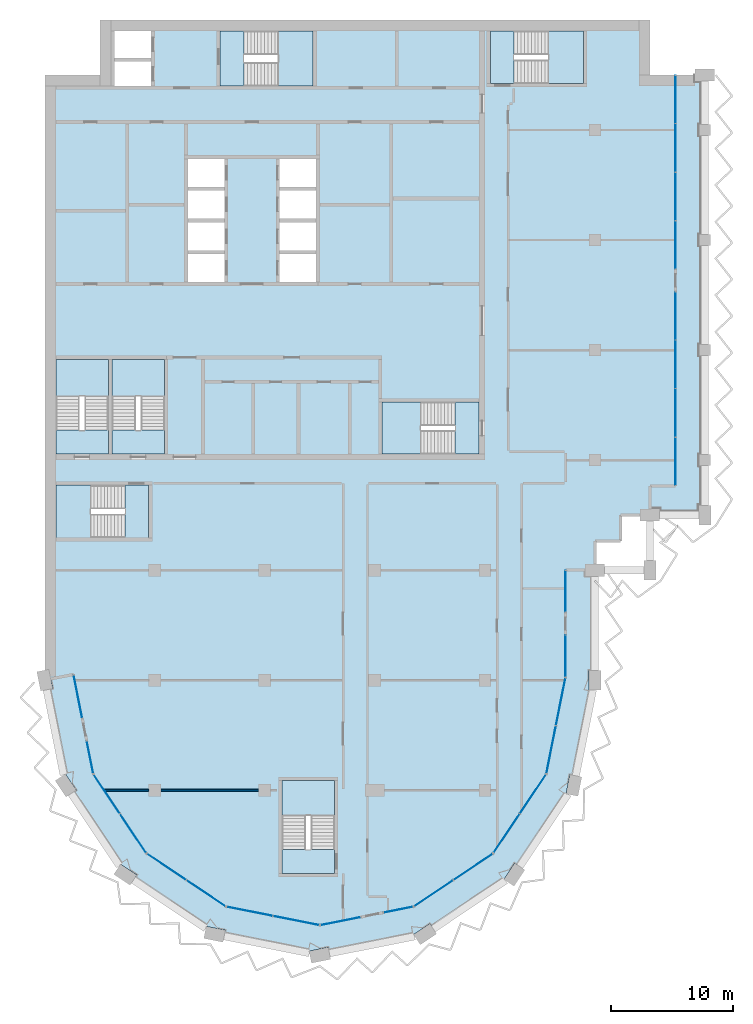
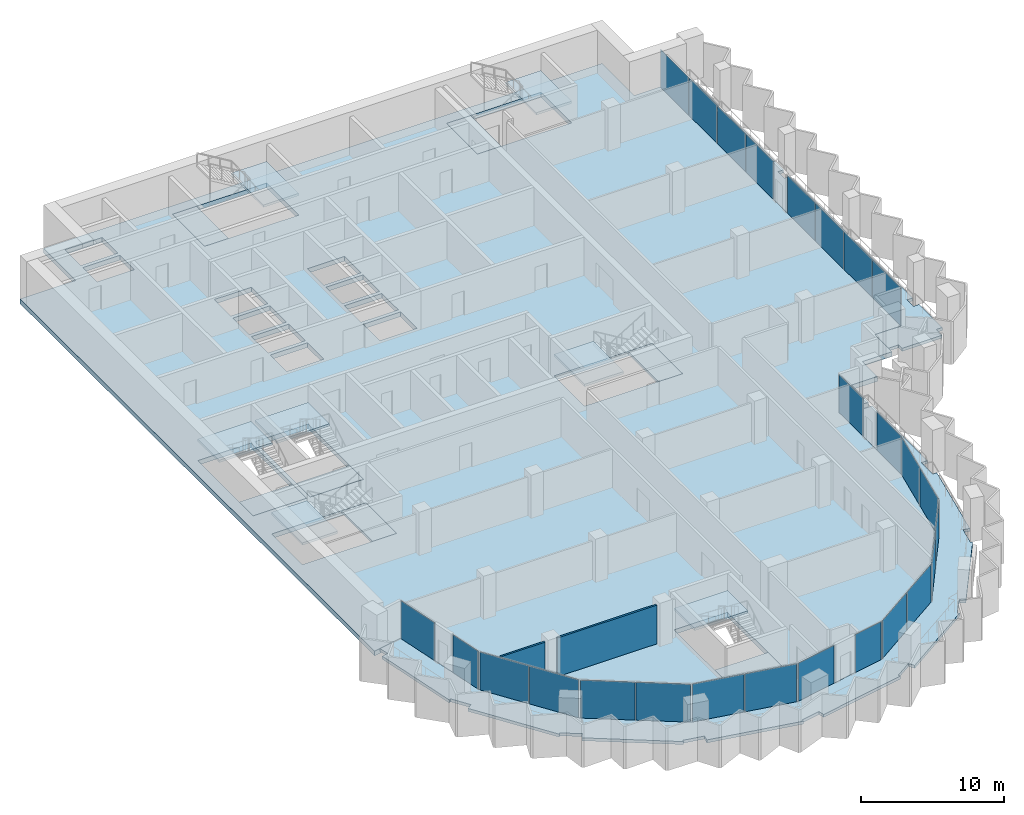
# One storey, part 6 of 16: 26 plates, 17 slabs, 2 walls, 21 elements without a shape of their own.
"""IFC4 building model written with IfcOpenShell, lengths in metres."""

from ifc_helpers import new_model, si_unit, direction, frame, frame_2d, origin, origin_2d, place, context, subcontext, project, spatial, polyline, rectangle, outline, extrude, material, layer, layer_set, type_object, element, aggregate, save


model = new_model("IFC4")

# Units and contexts
model_context = context("Model", 3, precision=1e-05, world=origin(), true_north=direction((0.0, 1.0)))
body_context = subcontext(model_context, "Body", "Model", "MODEL_VIEW")
ifc_project = project(units=[si_unit("LENGTHUNIT", "METRE"), si_unit("AREAUNIT", "SQUARE_METRE"), si_unit("VOLUMEUNIT", "CUBIC_METRE"), si_unit("PLANEANGLEUNIT", "RADIAN"), si_unit("MASSUNIT", "GRAM", prefix="KILO")], contexts=[model_context])

# Site, building, storey
site_placement = place(None, origin())
site = spatial("IfcSite", under=ifc_project, at=site_placement, CompositionType="ELEMENT")
building_placement = place(site_placement, origin())
building = spatial("IfcBuilding", under=site, at=building_placement, Name="Hunhe Ridgeline Campus", CompositionType="ELEMENT")
storey_placement = place(building_placement, frame((0.0, 0.0, 239.199951171875)))
storey = spatial("IfcBuildingStorey", under=building, at=storey_placement, Name="L61", CompositionType="ELEMENT", Elevation=239.199951171875)

# Curtain wall, plate
ifc_material_1 = material(Name="Aluminium 6063", Category="aluminium")
curtain_wall_type_1 = type_object("IfcCurtainWallType", Name="Curtain wall CW-5", PredefinedType="NOTDEFINED", material=ifc_material_1)
curtain_wall_1_placement = place(storey_placement, origin())
curtain_wall_1 = element("IfcCurtainWall", 1, at=curtain_wall_1_placement, inside=storey, type_object=curtain_wall_type_1, Name="Curtain wall 01", PredefinedType="NOTDEFINED")
ifc_material_2 = material(Name="Low-e laminated glass", Category="glass")
ifc_layer_1 = layer(ifc_material_2, 0.028076171875)
ifc_layer_set_1 = layer_set([ifc_layer_1], Name="Curtain wall glass panel 28 low-e laminated")
plate_type = type_object("IfcPlateType", Name="Curtain wall glass panel 28 low-e laminated", PredefinedType="CURTAIN_PANEL", material=ifc_layer_set_1)
plate_1_placement = place(storey_placement, frame((2.7158203125, 43.65380859375, 0.0), z_axis=(0.0, 0.0, 1.0), x_axis=(0.195095326561, -0.980784284924, 0.0)))
plate_1 = element("IfcPlate", 2, at=plate_1_placement, type_object=plate_type, Name="CW-5 panel 1", PredefinedType="CURTAIN_PANEL", context=body_context, shape_type="SweptSolid", body=[
    extrude(rectangle(XDim=3.560791015625, YDim=0.028076171875, at=origin_2d()), origin(), (0.0, 0.0, 1.0), 3.22998046875),
])
aggregate(curtain_wall_1, [plate_1])

curtain_wall_2_placement = place(storey_placement, origin())
curtain_wall_2 = element("IfcCurtainWall", 3, at=curtain_wall_2_placement, inside=storey, type_object=curtain_wall_type_1, Name="Curtain wall 02", PredefinedType="NOTDEFINED")
plate_2_placement = place(storey_placement, frame((3.701171875, 38.699951171875, 0.0), z_axis=(0.0, 0.0, 1.0), x_axis=(0.195095265587, -0.980784297053, 0.0)))
plate_2 = element("IfcPlate", 4, at=plate_2_placement, type_object=plate_type, Name="CW-5 panel 1", PredefinedType="CURTAIN_PANEL", context=body_context, shape_type="SweptSolid", body=[
    extrude(rectangle(XDim=2.660888671875, YDim=0.028076171875, at=origin_2d()), origin(), (0.0, 0.0, 1.0), 3.22998046875),
])
aggregate(curtain_wall_2, [plate_2])

# Curtain wall, plates
curtain_wall_3_placement = place(storey_placement, origin())
curtain_wall_3 = element("IfcCurtainWall", 5, at=curtain_wall_3_placement, inside=storey, type_object=curtain_wall_type_1, Name="Curtain wall 03", PredefinedType="NOTDEFINED")
plate_3_placement = place(storey_placement, frame((5.07080078125, 35.685546875, 0.0), z_axis=(0.0, 0.0, 1.0), x_axis=(0.555570274596, -0.831469584522, 0.0)))
plate_3 = element("IfcPlate", 6, at=plate_3_placement, type_object=plate_type, Name="CW-5 panel 1", PredefinedType="CURTAIN_PANEL", context=body_context, shape_type="SweptSolid", body=[
    extrude(rectangle(XDim=3.806884765625, YDim=0.028076171875, at=origin_2d()), origin(), (0.0, 0.0, 1.0), 3.22998046875),
])
plate_4_placement = place(storey_placement, frame((7.224609375, 32.4619140625, 0.0), z_axis=(0.0, 0.0, 1.0), x_axis=(0.555570274596, -0.831469584522, 0.0)))
plate_4 = element("IfcPlate", 7, at=plate_4_placement, type_object=plate_type, Name="CW-5 panel 2", PredefinedType="CURTAIN_PANEL", context=body_context, shape_type="SweptSolid", body=[
    extrude(rectangle(XDim=3.806884765625, YDim=0.028076171875, at=origin_2d()), origin(), (0.0, 0.0, 1.0), 3.22998046875),
])
aggregate(curtain_wall_3, [plate_3, plate_4])

curtain_wall_4_placement = place(storey_placement, origin())
curtain_wall_4 = element("IfcCurtainWall", 8, at=curtain_wall_4_placement, inside=storey, type_object=curtain_wall_type_1, Name="Curtain wall 04", PredefinedType="NOTDEFINED")
plate_5_placement = place(storey_placement, frame((9.9619140625, 29.724609375, 0.0), z_axis=(0.0, 0.0, 1.0), x_axis=(0.831469584522, -0.555570274596, 0.0)))
plate_5 = element("IfcPlate", 9, at=plate_5_placement, type_object=plate_type, Name="CW-5 panel 1", PredefinedType="CURTAIN_PANEL", context=body_context, shape_type="SweptSolid", body=[
    extrude(rectangle(XDim=3.806884765625, YDim=0.028076171875, at=origin_2d()), origin(), (0.0, 0.0, 1.0), 3.22998046875),
])
plate_6_placement = place(storey_placement, frame((13.185546875, 27.57080078125, 0.0), z_axis=(0.0, 0.0, 1.0), x_axis=(0.831469584522, -0.555570274596, 0.0)))
plate_6 = element("IfcPlate", 10, at=plate_6_placement, type_object=plate_type, Name="CW-5 panel 2", PredefinedType="CURTAIN_PANEL", context=body_context, shape_type="SweptSolid", body=[
    extrude(rectangle(XDim=3.806884765625, YDim=0.028076171875, at=origin_2d()), origin(), (0.0, 0.0, 1.0), 3.22998046875),
])
aggregate(curtain_wall_4, [plate_5, plate_6])

curtain_wall_5_placement = place(storey_placement, origin())
curtain_wall_5 = element("IfcCurtainWall", 11, at=curtain_wall_5_placement, inside=storey, type_object=curtain_wall_type_1, Name="Curtain wall 05", PredefinedType="NOTDEFINED")
plate_7_placement = place(storey_placement, frame((16.761962890625, 26.08935546875, 0.0), z_axis=(0.0, 0.0, 1.0), x_axis=(0.980785275326, -0.195090347539, 0.0)))
plate_7 = element("IfcPlate", 12, at=plate_7_placement, type_object=plate_type, Name="CW-5 panel 1", PredefinedType="CURTAIN_PANEL", context=body_context, shape_type="SweptSolid", body=[
    extrude(rectangle(XDim=3.806884765625, YDim=0.028076171875, at=origin_2d()), origin(), (0.0, 0.0, 1.0), 3.22998046875),
])
plate_8_placement = place(storey_placement, frame((20.564453125, 25.3330078125, 0.0), z_axis=(0.0, 0.0, 1.0), x_axis=(0.980785275326, -0.195090347539, 0.0)))
plate_8 = element("IfcPlate", 13, at=plate_8_placement, type_object=plate_type, Name="CW-5 panel 2", PredefinedType="CURTAIN_PANEL", context=body_context, shape_type="SweptSolid", body=[
    extrude(rectangle(XDim=3.806884765625, YDim=0.028076171875, at=origin_2d()), origin(), (0.0, 0.0, 1.0), 3.22998046875),
])
aggregate(curtain_wall_5, [plate_7, plate_8])

# Curtain wall, plate
curtain_wall_6_placement = place(storey_placement, origin())
curtain_wall_6 = element("IfcCurtainWall", 14, at=curtain_wall_6_placement, inside=storey, type_object=curtain_wall_type_1, Name="Curtain wall 06", PredefinedType="NOTDEFINED")
plate_9_placement = place(storey_placement, frame((24.19775390625, 25.28564453125, 0.0), z_axis=(0.0, 0.0, 1.0), x_axis=(0.980785270791, 0.19509037034, 0.0)))
plate_9 = element("IfcPlate", 15, at=plate_9_placement, type_object=plate_type, Name="CW-5 panel 1", PredefinedType="CURTAIN_PANEL", context=body_context, shape_type="SweptSolid", body=[
    extrude(rectangle(XDim=3.322021484375, YDim=0.028076171875, at=origin_2d()), origin(), (0.0, 0.0, 1.0), 3.22998046875),
])
aggregate(curtain_wall_6, [plate_9])

curtain_wall_7_placement = place(storey_placement, origin())
curtain_wall_7 = element("IfcCurtainWall", 16, at=curtain_wall_7_placement, inside=storey, type_object=curtain_wall_type_1, Name="Curtain wall 07", PredefinedType="NOTDEFINED")
plate_10_placement = place(storey_placement, frame((28.917236328125, 26.224609375, 0.0), z_axis=(0.0, 0.0, 1.0), x_axis=(0.980785242091, 0.195090514627, 0.0)))
plate_10 = element("IfcPlate", 17, at=plate_10_placement, type_object=plate_type, Name="CW-5 panel 1", PredefinedType="CURTAIN_PANEL", context=body_context, shape_type="SweptSolid", body=[
    extrude(rectangle(XDim=2.421875, YDim=0.028076171875, at=origin_2d()), origin(), (0.0, 0.0, 1.0), 3.22998046875),
])
aggregate(curtain_wall_7, [plate_10])

# Curtain wall, plates
curtain_wall_8_placement = place(storey_placement, origin())
curtain_wall_8 = element("IfcCurtainWall", 18, at=curtain_wall_8_placement, inside=storey, type_object=curtain_wall_type_1, Name="Curtain wall 08", PredefinedType="NOTDEFINED")
plate_11_placement = place(storey_placement, frame((31.814453125, 27.57080078125, 0.0), z_axis=(0.0, 0.0, 1.0), x_axis=(0.831469584522, 0.555570274596, 0.0)))
plate_11 = element("IfcPlate", 19, at=plate_11_placement, type_object=plate_type, Name="CW-5 panel 1", PredefinedType="CURTAIN_PANEL", context=body_context, shape_type="SweptSolid", body=[
    extrude(rectangle(XDim=3.806884765625, YDim=0.028076171875, at=origin_2d()), origin(), (0.0, 0.0, 1.0), 3.22998046875),
])
plate_12_placement = place(storey_placement, frame((35.0380859375, 29.724609375, 0.0), z_axis=(0.0, 0.0, 1.0), x_axis=(0.831469584522, 0.555570274596, 0.0)))
plate_12 = element("IfcPlate", 20, at=plate_12_placement, type_object=plate_type, Name="CW-5 panel 2", PredefinedType="CURTAIN_PANEL", context=body_context, shape_type="SweptSolid", body=[
    extrude(rectangle(XDim=3.806884765625, YDim=0.028076171875, at=origin_2d()), origin(), (0.0, 0.0, 1.0), 3.22998046875),
])
aggregate(curtain_wall_8, [plate_11, plate_12])

curtain_wall_9_placement = place(storey_placement, origin())
curtain_wall_9 = element("IfcCurtainWall", 21, at=curtain_wall_9_placement, inside=storey, type_object=curtain_wall_type_1, Name="Curtain wall 09", PredefinedType="NOTDEFINED")
plate_13_placement = place(storey_placement, frame((37.775390625, 32.4619140625, 0.0), z_axis=(0.0, 0.0, 1.0), x_axis=(0.555570274596, 0.831469584522, 0.0)))
plate_13 = element("IfcPlate", 22, at=plate_13_placement, type_object=plate_type, Name="CW-5 panel 1", PredefinedType="CURTAIN_PANEL", context=body_context, shape_type="SweptSolid", body=[
    extrude(rectangle(XDim=3.806884765625, YDim=0.028076171875, at=origin_2d()), origin(), (0.0, 0.0, 1.0), 3.22998046875),
])
plate_14_placement = place(storey_placement, frame((39.92919921875, 35.685546875, 0.0), z_axis=(0.0, 0.0, 1.0), x_axis=(0.555570274596, 0.831469584522, 0.0)))
plate_14 = element("IfcPlate", 23, at=plate_14_placement, type_object=plate_type, Name="CW-5 panel 2", PredefinedType="CURTAIN_PANEL", context=body_context, shape_type="SweptSolid", body=[
    extrude(rectangle(XDim=3.806884765625, YDim=0.028076171875, at=origin_2d()), origin(), (0.0, 0.0, 1.0), 3.22998046875),
])
aggregate(curtain_wall_9, [plate_13, plate_14])

curtain_wall_10_placement = place(storey_placement, origin())
curtain_wall_10 = element("IfcCurtainWall", 24, at=curtain_wall_10_placement, inside=storey, type_object=curtain_wall_type_1, Name="Curtain wall 10", PredefinedType="NOTDEFINED")
plate_15_placement = place(storey_placement, frame((41.42236328125, 39.321044921875, 0.0), z_axis=(0.0, 0.0, 1.0), x_axis=(0.195090299215, 0.980785284939, 0.0)))
plate_15 = element("IfcPlate", 25, at=plate_15_placement, type_object=plate_type, Name="CW-5 panel 1", PredefinedType="CURTAIN_PANEL", context=body_context, shape_type="SweptSolid", body=[
    extrude(rectangle(XDim=3.927490234375, YDim=0.028076171875, at=origin_2d()), origin(), (0.0, 0.0, 1.0), 3.22998046875),
])
plate_16_placement = place(storey_placement, frame((42.2021484375, 43.24169921875, 0.0), z_axis=(0.0, 0.0, 1.0), x_axis=(0.195090299215, 0.980785284939, 0.0)))
plate_16 = element("IfcPlate", 26, at=plate_16_placement, type_object=plate_type, Name="CW-5 panel 2", PredefinedType="CURTAIN_PANEL", context=body_context, shape_type="SweptSolid", body=[
    extrude(rectangle(XDim=3.927490234375, YDim=0.028076171875, at=origin_2d()), origin(), (0.0, 0.0, 1.0), 3.22998046875),
])
aggregate(curtain_wall_10, [plate_15, plate_16])

# Curtain wall, plate
curtain_wall_type_2 = type_object("IfcCurtainWallType", Name="Curtain wall CW-1", PredefinedType="NOTDEFINED", material=ifc_material_1)
curtain_wall_11_placement = place(storey_placement, origin())
curtain_wall_11 = element("IfcCurtainWall", 27, at=curtain_wall_11_placement, inside=storey, type_object=curtain_wall_type_2, Name="Curtain wall 11", PredefinedType="NOTDEFINED")
plate_17_placement = place(storey_placement, frame((42.59912109375, 46.9775390625, 0.0), z_axis=(0.0, 0.0, 1.0), x_axis=(1.9241592e-05, 0.999999999815, 0.0)))
plate_17 = element("IfcPlate", 28, at=plate_17_placement, type_object=plate_type, Name="CW-1 panel 1", PredefinedType="CURTAIN_PANEL", context=body_context, shape_type="SweptSolid", body=[
    extrude(rectangle(XDim=3.362060546875, YDim=0.028076171875, at=origin_2d()), origin(), (0.0, 0.0, 1.0), 3.239990234375),
])
aggregate(curtain_wall_11, [plate_17])

curtain_wall_12_placement = place(storey_placement, origin())
curtain_wall_12 = element("IfcCurtainWall", 29, at=curtain_wall_12_placement, inside=storey, type_object=curtain_wall_type_2, Name="Curtain wall 12", PredefinedType="NOTDEFINED")
plate_18_placement = place(storey_placement, frame((42.59912109375, 52.259521484375, 0.0), z_axis=(0.0, 0.0, 1.0), x_axis=(1.9241592e-05, 0.999999999815, 0.0)))
plate_18 = element("IfcPlate", 30, at=plate_18_placement, type_object=plate_type, Name="CW-1 panel 1", PredefinedType="CURTAIN_PANEL", context=body_context, shape_type="SweptSolid", body=[
    extrude(rectangle(XDim=3.362060546875, YDim=0.028076171875, at=origin_2d()), origin(), (0.0, 0.0, 1.0), 3.239990234375),
])
aggregate(curtain_wall_12, [plate_18])

# Curtain wall, plates
curtain_wall_13_placement = place(storey_placement, origin())
curtain_wall_13 = element("IfcCurtainWall", 31, at=curtain_wall_13_placement, inside=storey, type_object=curtain_wall_type_2, Name="Curtain wall 13", PredefinedType="NOTDEFINED")
plate_19_placement = place(storey_placement, frame((51.59912109375, 62.9033203125, 0.0), z_axis=(0.0, 0.0, 1.0), x_axis=(0.0, 1.0, 0.0)))
plate_19 = element("IfcPlate", 32, at=plate_19_placement, type_object=plate_type, Name="CW-1 panel 1", PredefinedType="CURTAIN_PANEL", context=body_context, shape_type="SweptSolid", body=[
    extrude(rectangle(XDim=3.884765625, YDim=0.028076171875, at=origin_2d()), origin(), (0.0, 0.0, 1.0), 3.239990234375),
])
plate_20_placement = place(storey_placement, frame((51.59912109375, 66.86328125, 0.0), z_axis=(0.0, 0.0, 1.0), x_axis=(0.0, 1.0, 0.0)))
plate_20 = element("IfcPlate", 33, at=plate_20_placement, type_object=plate_type, Name="CW-1 panel 2", PredefinedType="CURTAIN_PANEL", context=body_context, shape_type="SweptSolid", body=[
    extrude(rectangle(XDim=3.914794921875, YDim=0.028076171875, at=origin_2d()), origin(), (0.0, 0.0, 1.0), 3.239990234375),
])
plate_21_placement = place(storey_placement, frame((51.59912109375, 70.838134765625, 0.0), z_axis=(0.0, 0.0, 1.0), x_axis=(0.0, 1.0, 0.0)))
plate_21 = element("IfcPlate", 34, at=plate_21_placement, type_object=plate_type, Name="CW-1 panel 3", PredefinedType="CURTAIN_PANEL", context=body_context, shape_type="SweptSolid", body=[
    extrude(rectangle(XDim=3.914794921875, YDim=0.028076171875, at=origin_2d()), origin(), (0.0, 0.0, 1.0), 3.239990234375),
])
plate_22_placement = place(storey_placement, frame((51.59912109375, 74.798095703125, 0.0), z_axis=(0.0, 0.0, 1.0), x_axis=(0.0, 1.0, 0.0)))
plate_22 = element("IfcPlate", 35, at=plate_22_placement, type_object=plate_type, Name="CW-1 panel 4", PredefinedType="CURTAIN_PANEL", context=body_context, shape_type="SweptSolid", body=[
    extrude(rectangle(XDim=3.884765625, YDim=0.028076171875, at=origin_2d()), origin(), (0.0, 0.0, 1.0), 3.239990234375),
])
aggregate(curtain_wall_13, [plate_19, plate_20, plate_21, plate_22])

curtain_wall_14_placement = place(storey_placement, origin())
curtain_wall_14 = element("IfcCurtainWall", 36, at=curtain_wall_14_placement, inside=storey, type_object=curtain_wall_type_2, Name="Curtain wall 14", PredefinedType="NOTDEFINED")
plate_23_placement = place(storey_placement, frame((51.59912109375, 80.60302734375, 0.0), z_axis=(0.0, 0.0, 1.0), x_axis=(0.0, 1.0, 0.0)))
plate_23 = element("IfcPlate", 37, at=plate_23_placement, type_object=plate_type, Name="CW-1 panel 1", PredefinedType="CURTAIN_PANEL", context=body_context, shape_type="SweptSolid", body=[
    extrude(rectangle(XDim=3.884765625, YDim=0.028076171875, at=origin_2d()), origin(), (0.0, 0.0, 1.0), 3.239990234375),
])
plate_24_placement = place(storey_placement, frame((51.59912109375, 84.562744140625, 0.0), z_axis=(0.0, 0.0, 1.0), x_axis=(0.0, 1.0, 0.0)))
plate_24 = element("IfcPlate", 38, at=plate_24_placement, type_object=plate_type, Name="CW-1 panel 2", PredefinedType="CURTAIN_PANEL", context=body_context, shape_type="SweptSolid", body=[
    extrude(rectangle(XDim=3.914794921875, YDim=0.028076171875, at=origin_2d()), origin(), (0.0, 0.0, 1.0), 3.239990234375),
])
plate_25_placement = place(storey_placement, frame((51.59912109375, 88.53759765625, 0.0), z_axis=(0.0, 0.0, 1.0), x_axis=(0.0, 1.0, 0.0)))
plate_25 = element("IfcPlate", 39, at=plate_25_placement, type_object=plate_type, Name="CW-1 panel 3", PredefinedType="CURTAIN_PANEL", context=body_context, shape_type="SweptSolid", body=[
    extrude(rectangle(XDim=3.914794921875, YDim=0.028076171875, at=origin_2d()), origin(), (0.0, 0.0, 1.0), 3.239990234375),
])
plate_26_placement = place(storey_placement, frame((51.59912109375, 92.49755859375, 0.0), z_axis=(0.0, 0.0, 1.0), x_axis=(0.0, 1.0, 0.0)))
plate_26 = element("IfcPlate", 40, at=plate_26_placement, type_object=plate_type, Name="CW-1 panel 4", PredefinedType="CURTAIN_PANEL", context=body_context, shape_type="SweptSolid", body=[
    extrude(rectangle(XDim=3.884765625, YDim=0.028076171875, at=origin_2d()), origin(), (0.0, 0.0, 1.0), 3.239990234375),
])
aggregate(curtain_wall_14, [plate_23, plate_24, plate_25, plate_26])

# Slabs
ifc_material_3 = material(Name="Concrete C40", Category="concrete")
ifc_layer_2 = layer(ifc_material_3, 0.39990234375)
ifc_layer_set_2 = layer_set([ifc_layer_2], Name="Floor slab 400 Concrete C40")
slab_type_1 = type_object("IfcSlabType", Name="Floor slab 400 Concrete C40", PredefinedType="FLOOR", material=ifc_layer_set_2)
slab_1_placement = place(storey_placement, frame((0.0, 0.0, -0.39990234375)))
element("IfcSlab", 41, at=slab_1_placement, inside=storey, type_object=slab_type_1, Name="Floor slab L61 1", PredefinedType="FLOOR", context=body_context, shape_type="SweptSolid", body=[
    extrude(outline(polyline([(36.678955078125, 30.821044921875), (41.025634765625, 37.326416015625), (42.59912109375, 45.236572265625), (42.59912109375, 54.00048828125), (44.9990234375, 54.0009765625), (44.999267578125, 56.400634765625), (47.09912109375, 56.40087890625), (47.099609375, 58.5009765625), (49.4990234375, 58.5009765625), (49.49951171875, 60.90087890625), (51.59912109375, 60.90087890625), (51.59912109375, 94.5), (49.5, 94.5), (49.5, 99.0), (4.5, 99.0), (4.5, 94.5), (0.0, 94.5), (0.0, 45.0009765625), (2.354736328125, 45.46875), (3.974365234375, 37.326416015625), (8.321044921875, 30.821044921875), (14.826416015625, 26.474365234375), (22.5, 24.947998046875), (30.173583984375, 26.474365234375), (36.678955078125, 30.821044921875)]), holes=[polyline([(36.449951171875, 98.10009765625), (36.449951171875, 93.800048828125), (44.050048828125, 93.800048828125), (44.050048828125, 98.10009765625), (36.449951171875, 98.10009765625)]), polyline([(27.60009765625, 63.5), (35.5, 63.5), (35.5, 67.75), (27.60009765625, 67.75), (27.60009765625, 63.5)]), polyline([(19.39990234375, 36.800048828125), (19.39990234375, 29.199951171875), (23.699951171875, 29.199951171875), (23.699951171875, 36.800048828125), (19.39990234375, 36.800048828125)]), polyline([(22.199951171875, 87.64990234375), (19.199951171875, 87.64990234375), (19.199951171875, 85.35009765625), (22.199951171875, 85.35009765625), (22.199951171875, 87.64990234375)]), polyline([(22.199951171875, 77.550048828125), (22.199951171875, 79.85009765625), (19.199951171875, 79.85009765625), (19.199951171875, 77.550048828125), (22.199951171875, 77.550048828125)]), polyline([(19.199951171875, 85.050048828125), (19.199951171875, 82.75), (22.199951171875, 82.75), (22.199951171875, 85.050048828125), (19.199951171875, 85.050048828125)]), polyline([(19.199951171875, 80.14990234375), (22.199951171875, 80.14990234375), (22.199951171875, 82.449951171875), (19.199951171875, 82.449951171875), (19.199951171875, 80.14990234375)]), polyline([(14.35009765625, 98.10009765625), (14.35009765625, 93.60009765625), (21.949951171875, 93.60009765625), (21.949951171875, 98.10009765625), (14.35009765625, 98.10009765625)]), polyline([(14.699951171875, 87.64990234375), (11.699951171875, 87.64990234375), (11.699951171875, 85.35009765625), (14.699951171875, 85.35009765625), (14.699951171875, 87.64990234375)]), polyline([(14.699951171875, 77.550048828125), (14.699951171875, 79.85009765625), (11.699951171875, 79.85009765625), (11.699951171875, 77.550048828125), (14.699951171875, 77.550048828125)]), polyline([(11.699951171875, 85.050048828125), (11.699951171875, 82.75), (14.699951171875, 82.75), (14.699951171875, 85.050048828125), (11.699951171875, 85.050048828125)]), polyline([(11.699951171875, 80.14990234375), (14.699951171875, 80.14990234375), (14.699951171875, 82.449951171875), (11.699951171875, 82.449951171875), (11.699951171875, 80.14990234375)]), polyline([(9.800048828125, 63.5), (9.800048828125, 71.25), (5.5, 71.25), (5.5, 63.5), (9.800048828125, 63.5)]), polyline([(8.699951171875, 93.60009765625), (8.699951171875, 95.60009765625), (5.699951171875, 95.60009765625), (5.699951171875, 93.60009765625), (8.699951171875, 93.60009765625)]), polyline([(5.699951171875, 95.89990234375), (8.699951171875, 95.89990234375), (8.699951171875, 98.10009765625), (5.699951171875, 98.10009765625), (5.699951171875, 95.89990234375)]), polyline([(0.89990234375, 60.949951171875), (0.89990234375, 56.64990234375), (8.5, 56.64990234375), (8.5, 60.949951171875), (0.89990234375, 60.949951171875)]), polyline([(5.199951171875, 71.25), (0.89990234375, 71.25), (0.89990234375, 63.5), (5.199951171875, 63.5), (5.199951171875, 71.25)])]), origin(), (0.0, 0.0, 1.0), 0.39990234375),
])
ifc_layer_3 = layer(ifc_material_3, 0.25)
ifc_layer_set_3 = layer_set([ifc_layer_3], Name="Loggia slab 250 Concrete C40")
slab_type_2 = type_object("IfcSlabType", Name="Loggia slab 250 Concrete C40", PredefinedType="FLOOR", material=ifc_layer_set_3)
slab_2_placement = place(storey_placement, frame((0.0, 0.0, -0.25)))
element("IfcSlab", 42, at=slab_2_placement, inside=storey, type_object=slab_type_2, Name="Loggia slab 1", PredefinedType="FLOOR", context=body_context, shape_type="SweptSolid", body=[
    extrude(outline(polyline([(30.173828125, 26.473388671875), (22.5, 24.947021484375), (14.826171875, 26.473388671875), (8.3203125, 30.8203125), (3.973388671875, 37.326171875), (2.35400390625, 45.46826171875), (0.490478515625, 45.09765625), (0.646484375, 44.31298828125), (0.156005859375, 44.21533203125), (1.543701171875, 37.239013671875), (1.68408203125, 37.33251953125), (2.572998046875, 36.002197265625), (2.1572265625, 35.724365234375), (6.109130859375, 29.81005859375), (6.20263671875, 29.9501953125), (7.532958984375, 29.061279296875), (7.25537109375, 28.645751953125), (13.169677734375, 24.69384765625), (13.20263671875, 24.859130859375), (14.771728515625, 24.547119140625), (14.67431640625, 24.056640625), (21.650634765625, 22.6689453125), (21.617919921875, 22.834228515625), (23.18701171875, 23.146484375), (23.28466796875, 22.656005859375), (30.260986328125, 24.043701171875), (30.16748046875, 24.18408203125), (31.497802734375, 25.072998046875), (31.775634765625, 24.6572265625), (37.68994140625, 28.609130859375), (37.5498046875, 28.70263671875), (38.438720703125, 30.032958984375), (38.854248046875, 29.75537109375), (42.80615234375, 35.669677734375), (42.640869140625, 35.70263671875), (42.952880859375, 37.271728515625), (43.443359375, 37.17431640625), (44.8408203125, 44.199951171875), (44.5, 44.199951171875), (44.5, 45.800048828125), (45.0, 45.800048828125), (45.0, 53.5), (44.199951171875, 53.5), (44.199951171875, 54.0), (42.60009765625, 54.0), (42.60009765625, 45.236328125), (41.026611328125, 37.326171875), (36.6796875, 30.8203125), (30.173828125, 26.473388671875)])), origin(), (0.0, 0.0, 1.0), 0.25),
])
slab_3_placement = place(storey_placement, frame((0.0, 0.0, -0.25)))
element("IfcSlab", 43, at=slab_3_placement, inside=storey, type_object=slab_type_2, Name="Loggia slab 2", PredefinedType="FLOOR", context=body_context, shape_type="SweptSolid", body=[
    extrude(outline(polyline([(49.5, 59.0), (50.300048828125, 59.0), (50.300048828125, 58.5), (53.5, 58.5), (53.5, 59.300048828125), (54.0, 59.300048828125), (54.0, 62.550048828125), (53.550048828125, 62.550048828125), (53.550048828125, 63.449951171875), (54.0, 63.449951171875), (54.0, 71.550048828125), (53.550048828125, 71.550048828125), (53.550048828125, 72.449951171875), (54.0, 72.449951171875), (54.0, 80.550048828125), (53.550048828125, 80.550048828125), (53.550048828125, 81.449951171875), (54.0, 81.449951171875), (54.0, 89.550048828125), (53.550048828125, 89.550048828125), (53.550048828125, 90.449951171875), (54.0, 90.449951171875), (54.0, 94.0), (53.199951171875, 94.0), (53.199951171875, 94.5), (51.60009765625, 94.5), (51.60009765625, 60.89990234375), (49.5, 60.89990234375), (49.5, 59.0)])), origin(), (0.0, 0.0, 1.0), 0.25),
])

# Stair, slab
stair_type = type_object("IfcStairType", Name="Reinforced concrete dog-leg stair 1950 Concrete C40", PredefinedType="HALF_TURN_STAIR", material=ifc_material_3)
stair_1_placement = place(storey_placement, origin())
stair_1 = element("IfcStair", 44, at=stair_1_placement, inside=storey, type_object=stair_type, Name="L61 S1", PredefinedType="HALF_TURN_STAIR")
ifc_layer_4 = layer(ifc_material_3, 0.199951171875)
ifc_layer_set_4 = layer_set([ifc_layer_4], Name="Reinforced concrete stair landing 200 Concrete C40")
slab_type_3 = type_object("IfcSlabType", Name="Reinforced concrete stair landing 200 Concrete C40", PredefinedType="LANDING", material=ifc_layer_set_4)
slab_4_placement = place(storey_placement, frame((0.0, 0.0, 1.650146484375)))
slab_4 = element("IfcSlab", 45, at=slab_4_placement, type_object=slab_type_3, Name="ST1 landing 1", PredefinedType="LANDING", context=body_context, shape_type="SweptSolid", body=[
    extrude(outline(polyline([(19.10009765625, 93.60009765625), (21.949951171875, 93.60009765625), (21.949951171875, 98.10009765625), (19.10009765625, 98.10009765625), (19.10009765625, 93.60009765625)])), origin(), (0.0, 0.0, 1.0), 0.199951171875),
])
aggregate(stair_1, [slab_4])

# Slab
slab_5_placement = place(storey_placement, frame((0.0, 0.0, -0.199951171875)))
element("IfcSlab", 46, at=slab_5_placement, inside=storey, type_object=slab_type_3, Name="L61 stair S1 floor landing", PredefinedType="LANDING", context=body_context, shape_type="SweptSolid", body=[
    extrude(outline(polyline([(14.35009765625, 93.60009765625), (16.300048828125, 93.60009765625), (16.300048828125, 98.10009765625), (14.35009765625, 98.10009765625), (14.35009765625, 93.60009765625)])), origin(), (0.0, 0.0, 1.0), 0.199951171875),
])

# Stair, slab
stair_2_placement = place(storey_placement, origin())
stair_2 = element("IfcStair", 47, at=stair_2_placement, inside=storey, type_object=stair_type, Name="L61 S2", PredefinedType="HALF_TURN_STAIR")
slab_6_placement = place(storey_placement, frame((0.0, 0.0, 1.650146484375)))
slab_6 = element("IfcSlab", 48, at=slab_6_placement, type_object=slab_type_3, Name="ST2 landing 1", PredefinedType="LANDING", context=body_context, shape_type="SweptSolid", body=[
    extrude(outline(polyline([(30.75, 67.75), (27.60009765625, 67.75), (27.60009765625, 63.5), (30.75, 63.5), (30.75, 67.75)])), origin(), (0.0, 0.0, 1.0), 0.199951171875),
])
aggregate(stair_2, [slab_6])

# Slab
slab_7_placement = place(storey_placement, frame((0.0, 0.0, -0.199951171875)))
element("IfcSlab", 49, at=slab_7_placement, inside=storey, type_object=slab_type_3, Name="L61 stair S2 floor landing", PredefinedType="LANDING", context=body_context, shape_type="SweptSolid", body=[
    extrude(outline(polyline([(35.5, 67.75), (33.550048828125, 67.75), (33.550048828125, 63.5), (35.5, 63.5), (35.5, 67.75)])), origin(), (0.0, 0.0, 1.0), 0.199951171875),
])

# Stair, slab
stair_3_placement = place(storey_placement, origin())
stair_3 = element("IfcStair", 50, at=stair_3_placement, inside=storey, type_object=stair_type, Name="L61 S3", PredefinedType="HALF_TURN_STAIR")
slab_8_placement = place(storey_placement, frame((0.0, 0.0, 1.650146484375)))
slab_8 = element("IfcSlab", 51, at=slab_8_placement, type_object=slab_type_3, Name="ST3 landing 1", PredefinedType="LANDING", context=body_context, shape_type="SweptSolid", body=[
    extrude(outline(polyline([(5.199951171875, 68.25), (5.199951171875, 71.25), (0.89990234375, 71.25), (0.89990234375, 68.25), (5.199951171875, 68.25)])), origin(), (0.0, 0.0, 1.0), 0.199951171875),
])
aggregate(stair_3, [slab_8])

# Slab
slab_9_placement = place(storey_placement, frame((0.0, 0.0, -0.199951171875)))
element("IfcSlab", 52, at=slab_9_placement, inside=storey, type_object=slab_type_3, Name="L61 stair S3 floor landing", PredefinedType="LANDING", context=body_context, shape_type="SweptSolid", body=[
    extrude(outline(polyline([(5.199951171875, 63.5), (5.199951171875, 65.449951171875), (0.89990234375, 65.449951171875), (0.89990234375, 63.5), (5.199951171875, 63.5)])), origin(), (0.0, 0.0, 1.0), 0.199951171875),
])

# Stair, slab
stair_4_placement = place(storey_placement, origin())
stair_4 = element("IfcStair", 53, at=stair_4_placement, inside=storey, type_object=stair_type, Name="L61 S4", PredefinedType="HALF_TURN_STAIR")
slab_10_placement = place(storey_placement, frame((0.0, 0.0, 1.650146484375)))
slab_10 = element("IfcSlab", 54, at=slab_10_placement, type_object=slab_type_3, Name="ST4 landing 1", PredefinedType="LANDING", context=body_context, shape_type="SweptSolid", body=[
    extrude(outline(polyline([(9.800048828125, 68.25), (9.800048828125, 71.25), (5.5, 71.25), (5.5, 68.25), (9.800048828125, 68.25)])), origin(), (0.0, 0.0, 1.0), 0.199951171875),
])
aggregate(stair_4, [slab_10])

# Slab
slab_11_placement = place(storey_placement, frame((0.0, 0.0, -0.199951171875)))
element("IfcSlab", 55, at=slab_11_placement, inside=storey, type_object=slab_type_3, Name="L61 stair S4 floor landing", PredefinedType="LANDING", context=body_context, shape_type="SweptSolid", body=[
    extrude(outline(polyline([(9.800048828125, 63.5), (9.800048828125, 65.449951171875), (5.5, 65.449951171875), (5.5, 63.5), (9.800048828125, 63.5)])), origin(), (0.0, 0.0, 1.0), 0.199951171875),
])

# Stair, slab
stair_5_placement = place(storey_placement, origin())
stair_5 = element("IfcStair", 56, at=stair_5_placement, inside=storey, type_object=stair_type, Name="L61 E1", PredefinedType="HALF_TURN_STAIR")
slab_12_placement = place(storey_placement, frame((0.0, 0.0, 1.650146484375)))
slab_12 = element("IfcSlab", 57, at=slab_12_placement, type_object=slab_type_3, Name="ST5 landing 1", PredefinedType="LANDING", context=body_context, shape_type="SweptSolid", body=[
    extrude(outline(polyline([(41.199951171875, 93.800048828125), (44.050048828125, 93.800048828125), (44.050048828125, 98.10009765625), (41.199951171875, 98.10009765625), (41.199951171875, 93.800048828125)])), origin(), (0.0, 0.0, 1.0), 0.199951171875),
])
aggregate(stair_5, [slab_12])

# Slab
slab_13_placement = place(storey_placement, frame((0.0, 0.0, -0.199951171875)))
element("IfcSlab", 58, at=slab_13_placement, inside=storey, type_object=slab_type_3, Name="L61 stair E1 floor landing", PredefinedType="LANDING", context=body_context, shape_type="SweptSolid", body=[
    extrude(outline(polyline([(36.449951171875, 93.800048828125), (38.39990234375, 93.800048828125), (38.39990234375, 98.10009765625), (36.449951171875, 98.10009765625), (36.449951171875, 93.800048828125)])), origin(), (0.0, 0.0, 1.0), 0.199951171875),
])

# Stair, slab
stair_6_placement = place(storey_placement, origin())
stair_6 = element("IfcStair", 59, at=stair_6_placement, inside=storey, type_object=stair_type, Name="L61 W3", PredefinedType="HALF_TURN_STAIR")
slab_14_placement = place(storey_placement, frame((0.0, 0.0, 1.650146484375)))
slab_14 = element("IfcSlab", 60, at=slab_14_placement, type_object=slab_type_3, Name="ST9 landing 1", PredefinedType="LANDING", context=body_context, shape_type="SweptSolid", body=[
    extrude(outline(polyline([(23.699951171875, 33.949951171875), (23.699951171875, 36.800048828125), (19.39990234375, 36.800048828125), (19.39990234375, 33.949951171875), (23.699951171875, 33.949951171875)])), origin(), (0.0, 0.0, 1.0), 0.199951171875),
])
aggregate(stair_6, [slab_14])

# Slab
slab_15_placement = place(storey_placement, frame((0.0, 0.0, -0.199951171875)))
element("IfcSlab", 61, at=slab_15_placement, inside=storey, type_object=slab_type_3, Name="L61 stair W3 floor landing", PredefinedType="LANDING", context=body_context, shape_type="SweptSolid", body=[
    extrude(outline(polyline([(23.699951171875, 29.199951171875), (23.699951171875, 31.14990234375), (19.39990234375, 31.14990234375), (19.39990234375, 29.199951171875), (23.699951171875, 29.199951171875)])), origin(), (0.0, 0.0, 1.0), 0.199951171875),
])

# Stair, slab
stair_7_placement = place(storey_placement, origin())
stair_7 = element("IfcStair", 62, at=stair_7_placement, inside=storey, type_object=stair_type, Name="L61 W2", PredefinedType="HALF_TURN_STAIR")
slab_16_placement = place(storey_placement, frame((0.0, 0.0, 1.650146484375)))
slab_16 = element("IfcSlab", 63, at=slab_16_placement, type_object=slab_type_3, Name="ST12 landing 1", PredefinedType="LANDING", context=body_context, shape_type="SweptSolid", body=[
    extrude(outline(polyline([(3.75, 60.949951171875), (0.89990234375, 60.949951171875), (0.89990234375, 56.64990234375), (3.75, 56.64990234375), (3.75, 60.949951171875)])), origin(), (0.0, 0.0, 1.0), 0.199951171875),
])
aggregate(stair_7, [slab_16])

# Slab
slab_17_placement = place(storey_placement, frame((0.0, 0.0, -0.199951171875)))
element("IfcSlab", 64, at=slab_17_placement, inside=storey, type_object=slab_type_3, Name="L61 stair W2 floor landing", PredefinedType="LANDING", context=body_context, shape_type="SweptSolid", body=[
    extrude(outline(polyline([(8.5, 60.949951171875), (6.550048828125, 60.949951171875), (6.550048828125, 56.64990234375), (8.5, 56.64990234375), (8.5, 60.949951171875)])), origin(), (0.0, 0.0, 1.0), 0.199951171875),
])

# Walls
ifc_material_4 = material(Name="Gypsum board partition")
ifc_layer_5 = layer(ifc_material_4, 0.14990234375)
ifc_layer_set_5 = layer_set([ifc_layer_5], Name="Room partition 150 gypsum board on steel studs")
wall_type = type_object("IfcWallType", Name="Room partition 150 gypsum board on steel studs", PredefinedType="PARTITIONING", material=ifc_layer_set_5)
wall_1_placement = place(storey_placement, frame((4.925537109375, 36.0, 0.0), z_axis=(0.0, 0.0, 1.0), x_axis=(1.0, 0.0, 0.0)))
element("IfcWall", 65, at=wall_1_placement, inside=storey, type_object=wall_type, Name="F-L61-wall-002", PredefinedType="PARTITIONING", context=body_context, shape_type="SweptSolid", body=[
    extrude(rectangle(XDim=3.574462890625, YDim=0.14990234375, at=frame_2d((1.787109375, 0.0))), origin(), (0.0, 0.0, 1.0), 3.300048828125),
])
wall_2_placement = place(storey_placement, frame((9.5, 36.0, 0.0), z_axis=(0.0, 0.0, 1.0), x_axis=(1.0, 0.0, 0.0)))
element("IfcWall", 66, at=wall_2_placement, inside=storey, type_object=wall_type, Name="F-L61-wall-003", PredefinedType="PARTITIONING", context=body_context, shape_type="SweptSolid", body=[
    extrude(rectangle(XDim=8.0, YDim=0.14990234375, at=frame_2d((4.0, 0.0))), origin(), (0.0, 0.0, 1.0), 3.300048828125),
])

save(model, "model.ifc")
